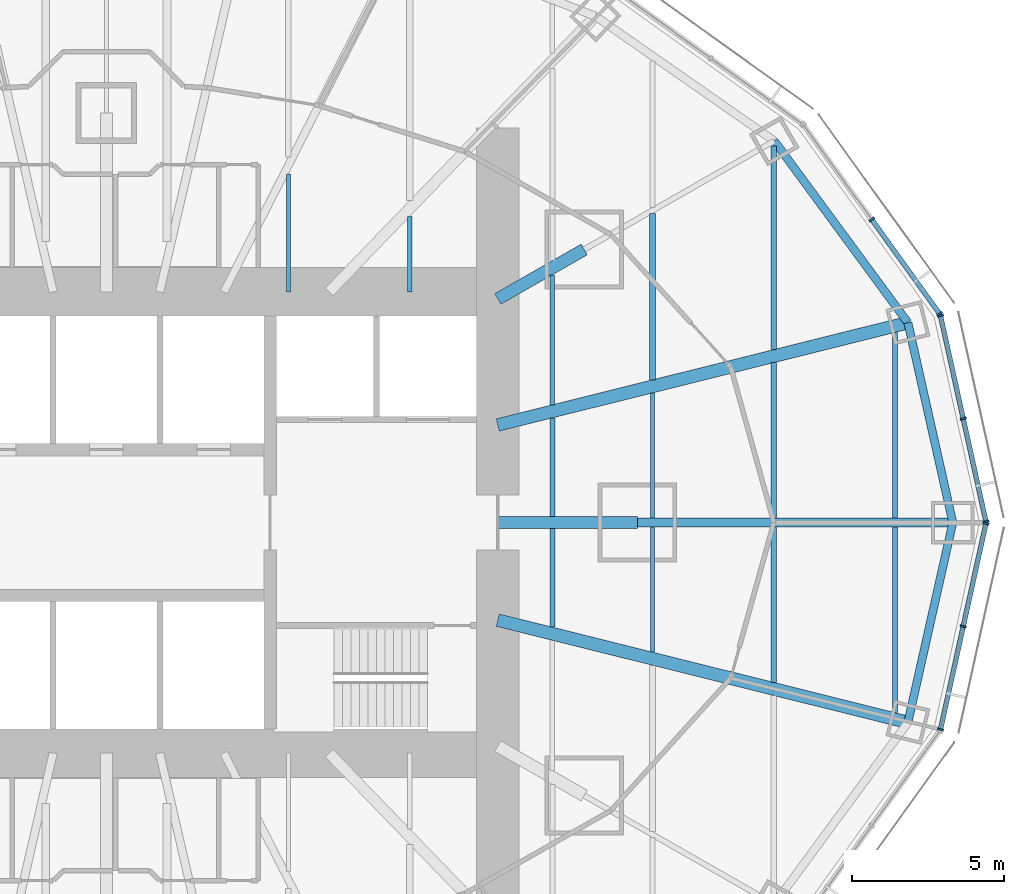
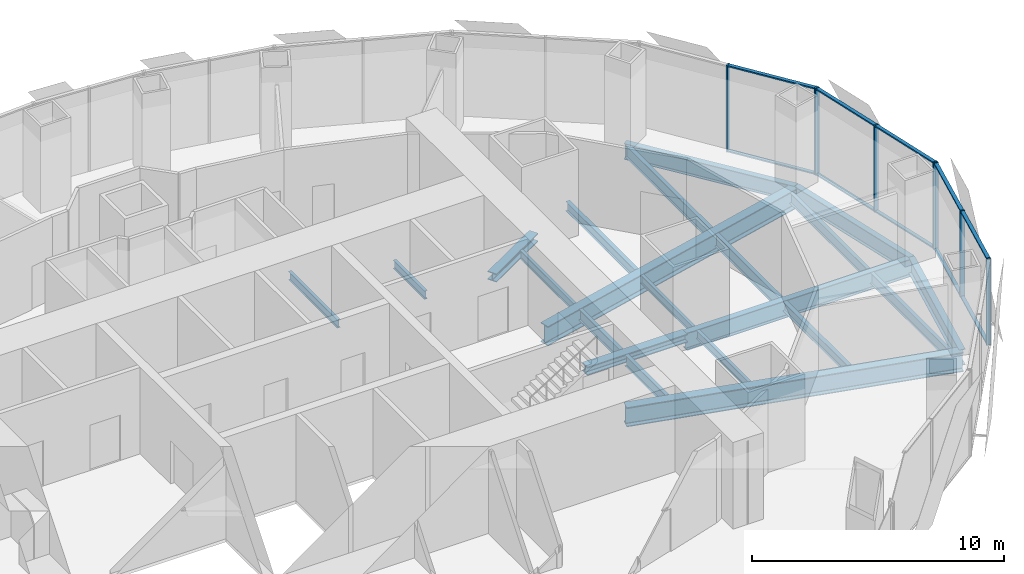
# One storey, part 6 of 18: 21 beams, 18 members, 3 elements without a shape of their own.
"""IFC4 building model written with IfcOpenShell, lengths in metres."""

from ifc_helpers import new_model, si_unit, direction, frame, origin, origin_2d, place, context, subcontext, project, spatial, rectangle, i_section, extrude, material, material_profile, profile_set, type_object, element, aggregate, save


model = new_model("IFC4")

# Units and contexts
model_context = context("Model", 3, precision=1e-05, world=origin(), true_north=direction((0.0, 1.0)))
body_context = subcontext(model_context, "Body", "Model", "MODEL_VIEW")
ifc_project = project(units=[si_unit("LENGTHUNIT", "METRE"), si_unit("AREAUNIT", "SQUARE_METRE"), si_unit("VOLUMEUNIT", "CUBIC_METRE"), si_unit("PLANEANGLEUNIT", "RADIAN"), si_unit("MASSUNIT", "GRAM", prefix="KILO")], contexts=[model_context])

# Site, building, storey
site_placement = place(None, origin())
site = spatial("IfcSite", under=ifc_project, at=site_placement, CompositionType="ELEMENT")
building_placement = place(site_placement, origin())
building = spatial("IfcBuilding", under=site, at=building_placement, Name="Lantaw Convention Tower", CompositionType="ELEMENT")
storey_placement = place(building_placement, frame((0.0, 0.0, 176.199951171875)))
storey = spatial("IfcBuildingStorey", under=building, at=storey_placement, Name="L41", CompositionType="ELEMENT", Elevation=176.199951171875)

# Beams
ifc_material_1 = material(Name="Steel ASTM A992", Category="steel")
ifc_material_profile_1 = material_profile(ifc_material_1, i_section(OverallWidth=0.2666015625, OverallDepth=0.76953125, WebThickness=0.015625, FlangeThickness=0.025390625, FilletRadius=0.0126953125, at=origin_2d()), Name="W30X132")
ifc_profile_set_1 = profile_set([ifc_material_profile_1], Name="Steel ASTM A992")
beam_type_1 = type_object("IfcBeamType", Name="Beam E W30X132", PredefinedType="SPANDREL", material=ifc_profile_set_1)
beam_1_placement = place(storey_placement, frame((27.89990234375, 0.0, -0.53466796875), z_axis=(-0.219211877447, 0.975677279015, 0.0), x_axis=(-0.975677279015, -0.219211877447, 0.0)))
element("IfcBeam", 1, at=beam_1_placement, inside=storey, type_object=beam_type_1, Name="Edge beam 1", PredefinedType="SPANDREL", context=body_context, shape_type="SweptSolid", body=[
    extrude(i_section(OverallWidth=0.2666015625, OverallDepth=0.76953125, WebThickness=0.015625, FlangeThickness=0.025390625, FilletRadius=0.0126953125, at=origin_2d()), origin(), (0.0, 0.0, 1.0), 6.75146484375),
])
beam_2_placement = place(storey_placement, frame((26.419921875, 6.587158203125, -0.53466796875), z_axis=(-0.5923891972, 0.805651934176, 0.0), x_axis=(-0.805651934176, -0.5923891972, 0.0)))
element("IfcBeam", 2, at=beam_2_placement, inside=storey, type_object=beam_type_1, Name="Edge beam 2", PredefinedType="SPANDREL", context=body_context, shape_type="SweptSolid", body=[
    extrude(i_section(OverallWidth=0.2666015625, OverallDepth=0.76953125, WebThickness=0.015625, FlangeThickness=0.025390625, FilletRadius=0.0126953125, at=origin_2d()), origin(), (0.0, 0.0, 1.0), 7.437744140625),
])
beam_3_placement = place(storey_placement, frame((26.419921875, -6.587158203125, -0.53466796875), z_axis=(0.219211877447, 0.975677279015, 0.0), x_axis=(-0.975677279015, 0.219211877447, 0.0)))
element("IfcBeam", 3, at=beam_3_placement, inside=storey, type_object=beam_type_1, Name="Edge beam 24", PredefinedType="SPANDREL", context=body_context, shape_type="SweptSolid", body=[
    extrude(i_section(OverallWidth=0.2666015625, OverallDepth=0.76953125, WebThickness=0.015625, FlangeThickness=0.025390625, FilletRadius=0.0126953125, at=origin_2d()), origin(), (0.0, 0.0, 1.0), 6.75146484375),
])
ifc_material_profile_2 = material_profile(ifc_material_1, i_section(OverallWidth=0.2919921875, OverallDepth=0.845703125, WebThickness=0.015380859375, FlangeThickness=0.0244140625, FilletRadius=0.01513671875, at=origin_2d()), Name="W33X141")
ifc_profile_set_2 = profile_set([ifc_material_profile_2], Name="Steel ASTM A992")
beam_type_2 = type_object("IfcBeamType", Name="Beam G W33X141", PredefinedType="BEAM", material=ifc_profile_set_2)
beam_4_placement = place(storey_placement, frame((17.5, 0.0, -0.57275390625), z_axis=(1.0, 0.0, 0.0), x_axis=(0.0, 1.0, 0.0)))
element("IfcBeam", 4, at=beam_4_placement, inside=storey, type_object=beam_type_2, Name="Floor girder on ray 1", PredefinedType="BEAM", context=body_context, shape_type="SweptSolid", body=[
    extrude(i_section(OverallWidth=0.2919921875, OverallDepth=0.845703125, WebThickness=0.015380859375, FlangeThickness=0.0244140625, FilletRadius=0.01513671875, at=origin_2d()), origin(), (0.0, 0.0, 1.0), 10.39990234375),
])
ifc_material_profile_3 = material_profile(ifc_material_1, i_section(OverallWidth=0.421630859375, OverallDepth=0.937255859375, WebThickness=0.0224609375, FlangeThickness=0.039794921875, FilletRadius=0.02001953125, at=origin_2d()), Name="W36X282")
ifc_profile_set_3 = profile_set([ifc_material_profile_3], Name="Steel ASTM A992")
beam_type_3 = type_object("IfcBeamType", Name="Beam G W36X282", PredefinedType="BEAM", material=ifc_profile_set_3)
for number, where, z_axis, x_axis, name in (
    (5, (12.89990234375, 3.21630859375, -0.61865234375), (0.970296903132, 0.24191717544, 0.0), (-0.24191717544, 0.970296903132, 0.0), "Floor girder on ray 2"),
    (6, (12.89990234375, -3.21630859375, -0.61865234375), (0.970296903132, -0.24191717544, 0.0), (0.24191717544, 0.970296903132, 0.0), "Floor girder on ray 24"),
):
    element("IfcBeam", number, at=place(storey_placement, frame(where, z_axis=z_axis, x_axis=x_axis)), inside=storey, type_object=beam_type_3, Name=name, PredefinedType="BEAM", context=body_context, shape_type="SweptSolid", body=[
        extrude(i_section(OverallWidth=0.421630859375, OverallDepth=0.937255859375, WebThickness=0.0224609375, FlangeThickness=0.039794921875, FilletRadius=0.02001953125, at=origin_2d()), origin(), (0.0, 0.0, 1.0), 13.933837890625),
    ])
ifc_material_profile_4 = material_profile(ifc_material_1, i_section(OverallWidth=0.40380859375, OverallDepth=0.406494140625, WebThickness=0.027099609375, FlangeThickness=0.043701171875, FilletRadius=0.01513671875, at=origin_2d()), Name="W14X233")
ifc_profile_set_4 = profile_set([ifc_material_profile_4], Name="Steel ASTM A992")
beam_type_4 = type_object("IfcBeamType", Name="Beam GM W14X233", PredefinedType="BEAM", material=ifc_profile_set_4)
beam_5_placement = place(storey_placement, frame((12.89990234375, 0.0, -0.353271484375), z_axis=(1.0, 0.0, 0.0), x_axis=(0.0, 1.0, 0.0)))
element("IfcBeam", 7, at=beam_5_placement, inside=storey, type_object=beam_type_4, Name="Core link beam on ray 1", PredefinedType="BEAM", context=body_context, shape_type="SweptSolid", body=[
    extrude(i_section(OverallWidth=0.40380859375, OverallDepth=0.406494140625, WebThickness=0.027099609375, FlangeThickness=0.043701171875, FilletRadius=0.01513671875, at=origin_2d()), origin(), (0.0, 0.0, 1.0), 4.60009765625),
])
beam_6_placement = place(storey_placement, frame((12.89990234375, 7.371337890625, -0.353271484375), z_axis=(0.868238565244, 0.496146947811, 0.0), x_axis=(-0.496146947811, 0.868238565244, 0.0)))
element("IfcBeam", 8, at=beam_6_placement, inside=storey, type_object=beam_type_4, Name="Core link beam on ray 3", PredefinedType="BEAM", context=body_context, shape_type="SweptSolid", body=[
    extrude(i_section(OverallWidth=0.40380859375, OverallDepth=0.406494140625, WebThickness=0.027099609375, FlangeThickness=0.043701171875, FilletRadius=0.01513671875, at=origin_2d()), origin(), (0.0, 0.0, 1.0), 3.28271484375),
])
ifc_material_profile_5 = material_profile(ifc_material_1, i_section(OverallWidth=0.140380859375, OverallDepth=0.40380859375, WebThickness=0.007080078125, FlangeThickness=0.01123046875, FilletRadius=0.01025390625, at=origin_2d()), Name="W16X31")
ifc_profile_set_5 = profile_set([ifc_material_profile_5], Name="Steel ASTM A992")
beam_type_5 = type_object("IfcBeamType", Name="Beam J W16X31", PredefinedType="JOIST", material=ifc_profile_set_5)
beam_7_placement = place(storey_placement, frame((6.0, 7.60009765625, -0.351806640625), z_axis=(0.0, 1.0, 0.0), x_axis=(-1.0, 0.0, 0.0)))
element("IfcBeam", 9, at=beam_7_placement, inside=storey, type_object=beam_type_5, Name="Floor joist", PredefinedType="JOIST", context=body_context, shape_type="SweptSolid", body=[
    extrude(i_section(OverallWidth=0.140380859375, OverallDepth=0.40380859375, WebThickness=0.007080078125, FlangeThickness=0.01123046875, FilletRadius=0.01025390625, at=origin_2d()), origin(), (0.0, 0.0, 1.0), 3.895751953125),
])
beam_8_placement = place(storey_placement, frame((10.0, 7.60009765625, -0.351806640625), z_axis=(0.0, 1.0, 0.0), x_axis=(-1.0, 0.0, 0.0)))
element("IfcBeam", 10, at=beam_8_placement, inside=storey, type_object=beam_type_5, Name="Floor joist", PredefinedType="JOIST", context=body_context, shape_type="SweptSolid", body=[
    extrude(i_section(OverallWidth=0.140380859375, OverallDepth=0.40380859375, WebThickness=0.007080078125, FlangeThickness=0.01123046875, FilletRadius=0.01025390625, at=origin_2d()), origin(), (0.0, 0.0, 1.0), 2.49560546875),
])
beam_9_placement = place(storey_placement, frame((14.699951171875, 3.88232421875, -0.351806640625), z_axis=(0.0, 1.0, 0.0), x_axis=(-1.0, 0.0, 0.0)))
element("IfcBeam", 11, at=beam_9_placement, inside=storey, type_object=beam_type_5, Name="Floor joist", PredefinedType="JOIST", context=body_context, shape_type="SweptSolid", body=[
    extrude(i_section(OverallWidth=0.140380859375, OverallDepth=0.40380859375, WebThickness=0.007080078125, FlangeThickness=0.01123046875, FilletRadius=0.01025390625, at=origin_2d()), origin(), (0.0, 0.0, 1.0), 4.28515625),
])
for number, where, z_axis, x_axis, name in (
    (12, (18.0, -4.270751953125, -0.351806640625), (0.0, 1.0, 0.0), (-1.0, 0.0, 0.0), "Floor joist"),
    (13, (18.0, 0.14599609375, -0.351806640625), (0.0, 1.0, 0.0), (-1.0, 0.0, 0.0), "Floor joist"),
):
    element("IfcBeam", number, at=place(storey_placement, frame(where, z_axis=z_axis, x_axis=x_axis)), inside=storey, type_object=beam_type_5, Name=name, PredefinedType="JOIST", context=body_context, shape_type="SweptSolid", body=[
        extrude(i_section(OverallWidth=0.140380859375, OverallDepth=0.40380859375, WebThickness=0.007080078125, FlangeThickness=0.01123046875, FilletRadius=0.01025390625, at=origin_2d()), origin(), (0.0, 0.0, 1.0), 4.124755859375),
    ])
ifc_material_profile_6 = material_profile(ifc_material_1, i_section(OverallWidth=0.1904296875, OverallDepth=0.457275390625, WebThickness=0.009033203125, FlangeThickness=0.014404296875, FilletRadius=0.01025390625, at=origin_2d()), Name="W18X50")
ifc_profile_set_6 = profile_set([ifc_material_profile_6], Name="Steel ASTM A992")
beam_type_6 = type_object("IfcBeamType", Name="Beam J W18X50", PredefinedType="JOIST", material=ifc_profile_set_6)
beam_10_placement = place(storey_placement, frame((18.0, 4.705078125, -0.378662109375), z_axis=(0.0, 1.0, 0.0), x_axis=(-1.0, 0.0, 0.0)))
element("IfcBeam", 14, at=beam_10_placement, inside=storey, type_object=beam_type_6, Name="Floor joist", PredefinedType="JOIST", context=body_context, shape_type="SweptSolid", body=[
    extrude(i_section(OverallWidth=0.1904296875, OverallDepth=0.457275390625, WebThickness=0.009033203125, FlangeThickness=0.014404296875, FilletRadius=0.01025390625, at=origin_2d()), origin(), (0.0, 0.0, 1.0), 5.47802734375),
])
beam_11_placement = place(storey_placement, frame((22.0, -5.267822265625, -0.378662109375), z_axis=(0.0, 1.0, 0.0), x_axis=(-1.0, 0.0, 0.0)))
element("IfcBeam", 15, at=beam_11_placement, inside=storey, type_object=beam_type_6, Name="Floor joist", PredefinedType="JOIST", context=body_context, shape_type="SweptSolid", body=[
    extrude(i_section(OverallWidth=0.1904296875, OverallDepth=0.457275390625, WebThickness=0.009033203125, FlangeThickness=0.014404296875, FilletRadius=0.01025390625, at=origin_2d()), origin(), (0.0, 0.0, 1.0), 5.121826171875),
])
ifc_material_profile_7 = material_profile(ifc_material_1, i_section(OverallWidth=0.1650390625, OverallDepth=0.52587890625, WebThickness=0.0087890625, FlangeThickness=0.011474609375, FilletRadius=0.0126953125, at=origin_2d()), Name="W21X44")
ifc_profile_set_7 = profile_set([ifc_material_profile_7], Name="Steel ASTM A992")
beam_type_7 = type_object("IfcBeamType", Name="Beam J W21X44", PredefinedType="JOIST", material=ifc_profile_set_7)
for number, where, z_axis, x_axis, name in (
    (16, (26.0, -6.26513671875, -0.412841796875), (0.0, 1.0, 0.0), (-1.0, 0.0, 0.0), "Floor joist"),
    (17, (26.0, 0.14599609375, -0.412841796875), (0.0, 1.0, 0.0), (-1.0, 0.0, 0.0), "Floor joist"),
):
    element("IfcBeam", number, at=place(storey_placement, frame(where, z_axis=z_axis, x_axis=x_axis)), inside=storey, type_object=beam_type_7, Name=name, PredefinedType="JOIST", context=body_context, shape_type="SweptSolid", body=[
        extrude(i_section(OverallWidth=0.1650390625, OverallDepth=0.52587890625, WebThickness=0.0087890625, FlangeThickness=0.011474609375, FilletRadius=0.0126953125, at=origin_2d()), origin(), (0.0, 0.0, 1.0), 6.119140625),
    ])
ifc_material_profile_8 = material_profile(ifc_material_1, i_section(OverallWidth=0.165771484375, OverallDepth=0.5283203125, WebThickness=0.009765625, FlangeThickness=0.013671875, FilletRadius=0.012939453125, at=origin_2d()), Name="W21X50")
ifc_profile_set_8 = profile_set([ifc_material_profile_8], Name="Steel ASTM A992")
beam_type_8 = type_object("IfcBeamType", Name="Beam J W21X50", PredefinedType="JOIST", material=ifc_profile_set_8)
for number, where, z_axis, x_axis, name in (
    (18, (14.699951171875, -3.44775390625, -0.4140625), (0.0, 1.0, 0.0), (-1.0, 0.0, 0.0), "Floor joist"),
    (19, (14.699951171875, 0.201904296875, -0.4140625), (0.0, 1.0, 0.0), (-1.0, 0.0, 0.0), "Floor joist"),
):
    element("IfcBeam", number, at=place(storey_placement, frame(where, z_axis=z_axis, x_axis=x_axis)), inside=storey, type_object=beam_type_8, Name=name, PredefinedType="JOIST", context=body_context, shape_type="SweptSolid", body=[
        extrude(i_section(OverallWidth=0.165771484375, OverallDepth=0.5283203125, WebThickness=0.009765625, FlangeThickness=0.013671875, FilletRadius=0.012939453125, at=origin_2d()), origin(), (0.0, 0.0, 1.0), 3.245849609375),
    ])
ifc_material_profile_9 = material_profile(ifc_material_1, i_section(OverallWidth=0.177978515625, OverallDepth=0.599365234375, WebThickness=0.010009765625, FlangeThickness=0.012939453125, FilletRadius=0.012939453125, at=origin_2d()), Name="W24X55")
ifc_profile_set_9 = profile_set([ifc_material_profile_9], Name="Steel ASTM A992")
beam_type_9 = type_object("IfcBeamType", Name="Beam J W24X55", PredefinedType="JOIST", material=ifc_profile_set_9)
beam_12_placement = place(storey_placement, frame((22.0, 0.14599609375, -0.44970703125), z_axis=(0.0, 1.0, 0.0), x_axis=(-1.0, 0.0, 0.0)))
element("IfcBeam", 20, at=beam_12_placement, inside=storey, type_object=beam_type_9, Name="Floor joist", PredefinedType="JOIST", context=body_context, shape_type="SweptSolid", body=[
    extrude(i_section(OverallWidth=0.177978515625, OverallDepth=0.599365234375, WebThickness=0.010009765625, FlangeThickness=0.012939453125, FilletRadius=0.012939453125, at=origin_2d()), origin(), (0.0, 0.0, 1.0), 5.121826171875),
])
beam_13_placement = place(storey_placement, frame((22.0, 5.702392578125, -0.44970703125), z_axis=(0.0, 1.0, 0.0), x_axis=(-1.0, 0.0, 0.0)))
element("IfcBeam", 21, at=beam_13_placement, inside=storey, type_object=beam_type_9, Name="Floor joist", PredefinedType="JOIST", context=body_context, shape_type="SweptSolid", body=[
    extrude(i_section(OverallWidth=0.177978515625, OverallDepth=0.599365234375, WebThickness=0.010009765625, FlangeThickness=0.012939453125, FilletRadius=0.012939453125, at=origin_2d()), origin(), (0.0, 0.0, 1.0), 6.70654296875),
])

# Curtain wall, members
ifc_material_2 = material(Name="Aluminium framed curtain wall", Category="aluminium")
curtain_wall_type = type_object("IfcCurtainWallType", Name="Office curtain wall low rise, pale aluminium", PredefinedType="USERDEFINED", material=ifc_material_2)
curtain_wall_1_placement = place(storey_placement, origin())
curtain_wall_1 = element("IfcCurtainWall", 22, at=curtain_wall_1_placement, inside=storey, type_object=curtain_wall_type, Name="Office curtain wall low rise, pale aluminium L41", ObjectType="UNITISED CURTAIN WALL", PredefinedType="USERDEFINED")
ifc_material_3 = material(Name="Aluminium 6063-T6", Category="aluminium")
ifc_material_profile_10 = material_profile(ifc_material_3, rectangle(XDim=0.199951171875, YDim=0.06494140625, at=origin_2d()), Name="CW-O1 mullion 65x200")
ifc_profile_set_10 = profile_set([ifc_material_profile_10], Name="Aluminium 6063-T6")
member_type_1 = type_object("IfcMemberType", Name="CW-O1 mullion 65x200", PredefinedType="MULLION", material=ifc_profile_set_10)
member_1_placement = place(storey_placement, frame((28.992919921875, 0.03173828125, -0.14990234375), z_axis=(0.0, 0.0, 1.0), x_axis=(-0.9764936509, -0.215546166174, 0.0)))
member_1 = element("IfcMember", 23, at=member_1_placement, type_object=member_type_1, Name="CW-O1 mullion 1", PredefinedType="MULLION", context=body_context, shape_type="SweptSolid", body=[
    extrude(rectangle(XDim=0.199951171875, YDim=0.06494140625, at=origin_2d()), origin(), (0.0, 0.0, 1.0), 4.199951171875),
])
member_2_placement = place(storey_placement, frame((28.24365234375, 3.4267578125, -0.14990234375), z_axis=(0.0, 0.0, 1.0), x_axis=(-0.9764936509, -0.215546166174, 0.0)))
member_2 = element("IfcMember", 24, at=member_2_placement, type_object=member_type_1, Name="CW-O1 mullion 2", PredefinedType="MULLION", context=body_context, shape_type="SweptSolid", body=[
    extrude(rectangle(XDim=0.199951171875, YDim=0.06494140625, at=origin_2d()), origin(), (0.0, 0.0, 1.0), 4.199951171875),
])
member_3_placement = place(storey_placement, frame((27.494140625, 6.821533203125, -0.14990234375), z_axis=(0.0, 0.0, 1.0), x_axis=(-0.9764936509, -0.215546166174, 0.0)))
member_3 = element("IfcMember", 25, at=member_3_placement, type_object=member_type_1, Name="CW-O1 mullion 3", PredefinedType="MULLION", context=body_context, shape_type="SweptSolid", body=[
    extrude(rectangle(XDim=0.199951171875, YDim=0.06494140625, at=origin_2d()), origin(), (0.0, 0.0, 1.0), 4.199951171875),
])

curtain_wall_2_placement = place(storey_placement, origin())
curtain_wall_2 = element("IfcCurtainWall", 26, at=curtain_wall_2_placement, inside=storey, type_object=curtain_wall_type, Name="Office curtain wall low rise, pale aluminium L41", ObjectType="UNITISED CURTAIN WALL", PredefinedType="USERDEFINED")
member_4_placement = place(storey_placement, frame((27.46826171875, 6.879638671875, -0.14990234375), z_axis=(0.0, 0.0, 1.0), x_axis=(-0.811384633629, -0.584512597221, 0.0)))
member_4 = element("IfcMember", 27, at=member_4_placement, type_object=member_type_1, Name="CW-O1 mullion 1", PredefinedType="MULLION", context=body_context, shape_type="SweptSolid", body=[
    extrude(rectangle(XDim=0.199951171875, YDim=0.06494140625, at=origin_2d()), origin(), (0.0, 0.0, 1.0), 4.199951171875),
])
member_5_placement = place(storey_placement, frame((25.22802734375, 9.9892578125, -0.14990234375), z_axis=(0.0, 0.0, 1.0), x_axis=(-0.811384633629, -0.584512597221, 0.0)))
member_5 = element("IfcMember", 28, at=member_5_placement, type_object=member_type_1, Name="CW-O1 mullion 2", PredefinedType="MULLION", context=body_context, shape_type="SweptSolid", body=[
    extrude(rectangle(XDim=0.199951171875, YDim=0.06494140625, at=origin_2d()), origin(), (0.0, 0.0, 1.0), 4.199951171875),
])

curtain_wall_3_placement = place(storey_placement, origin())
curtain_wall_3 = element("IfcCurtainWall", 29, at=curtain_wall_3_placement, inside=storey, type_object=curtain_wall_type, Name="Office curtain wall low rise, pale aluminium L41", ObjectType="UNITISED CURTAIN WALL", PredefinedType="USERDEFINED")
member_6_placement = place(storey_placement, frame((27.494140625, -6.821533203125, -0.14990234375), z_axis=(0.0, 0.0, 1.0), x_axis=(-0.9764936509, 0.215546166174, 0.0)))
member_6 = element("IfcMember", 30, at=member_6_placement, type_object=member_type_1, Name="CW-O1 mullion 1", PredefinedType="MULLION", context=body_context, shape_type="SweptSolid", body=[
    extrude(rectangle(XDim=0.199951171875, YDim=0.06494140625, at=origin_2d()), origin(), (0.0, 0.0, 1.0), 4.199951171875),
])
member_7_placement = place(storey_placement, frame((28.24365234375, -3.4267578125, -0.14990234375), z_axis=(0.0, 0.0, 1.0), x_axis=(-0.9764936509, 0.215546166174, 0.0)))
member_7 = element("IfcMember", 31, at=member_7_placement, type_object=member_type_1, Name="CW-O1 mullion 2", PredefinedType="MULLION", context=body_context, shape_type="SweptSolid", body=[
    extrude(rectangle(XDim=0.199951171875, YDim=0.06494140625, at=origin_2d()), origin(), (0.0, 0.0, 1.0), 4.199951171875),
])
member_8_placement = place(storey_placement, frame((28.992919921875, -0.03173828125, -0.14990234375), z_axis=(0.0, 0.0, 1.0), x_axis=(-0.9764936509, 0.215546166174, 0.0)))
member_8 = element("IfcMember", 32, at=member_8_placement, type_object=member_type_1, Name="CW-O1 mullion 3", PredefinedType="MULLION", context=body_context, shape_type="SweptSolid", body=[
    extrude(rectangle(XDim=0.199951171875, YDim=0.06494140625, at=origin_2d()), origin(), (0.0, 0.0, 1.0), 4.199951171875),
])

# Member
ifc_material_profile_11 = material_profile(ifc_material_3, rectangle(XDim=0.159912109375, YDim=0.06494140625, at=origin_2d()), Name="CW-O1 transom 65x160")
ifc_profile_set_11 = profile_set([ifc_material_profile_11], Name="Aluminium 6063-T6")
member_type_2 = type_object("IfcMemberType", Name="CW-O1 transom 65x160", PredefinedType="USERDEFINED", material=ifc_profile_set_11)
member_9_placement = place(storey_placement, frame((28.986083984375, 0.0634765625, -0.117431640625), z_axis=(-0.215536096386, 0.976495873598, 0.0), x_axis=(-0.976495873598, -0.215536096386, 0.0)))
member_9 = element("IfcMember", 33, at=member_9_placement, type_object=member_type_2, Name="CW-O1 transom 1.1", ObjectType="TRANSOM", PredefinedType="USERDEFINED", context=body_context, shape_type="SweptSolid", body=[
    extrude(rectangle(XDim=0.159912109375, YDim=0.06494140625, at=origin_2d()), origin(), (0.0, 0.0, 1.0), 3.41162109375),
])

member_10_placement = place(storey_placement, frame((28.986083984375, 0.0634765625, 4.017578125), z_axis=(-0.215536096386, 0.976495873598, 0.0), x_axis=(-0.976495873598, -0.215536096386, 0.0)))
member_10 = element("IfcMember", 34, at=member_10_placement, type_object=member_type_2, Name="CW-O1 transom 1.2", ObjectType="TRANSOM", PredefinedType="USERDEFINED", context=body_context, shape_type="SweptSolid", body=[
    extrude(rectangle(XDim=0.159912109375, YDim=0.06494140625, at=origin_2d()), origin(), (0.0, 0.0, 1.0), 3.41162109375),
])

member_11_placement = place(storey_placement, frame((28.236572265625, 3.45849609375, -0.117431640625), z_axis=(-0.21555115847, 0.976492548913, 0.0), x_axis=(-0.976492548913, -0.21555115847, 0.0)))
member_11 = element("IfcMember", 35, at=member_11_placement, type_object=member_type_2, Name="CW-O1 transom 2.1", ObjectType="TRANSOM", PredefinedType="USERDEFINED", context=body_context, shape_type="SweptSolid", body=[
    extrude(rectangle(XDim=0.159912109375, YDim=0.06494140625, at=origin_2d()), origin(), (0.0, 0.0, 1.0), 3.411376953125),
])

member_12_placement = place(storey_placement, frame((28.236572265625, 3.45849609375, 4.017578125), z_axis=(-0.21555115847, 0.976492548913, 0.0), x_axis=(-0.976492548913, -0.21555115847, 0.0)))
member_12 = element("IfcMember", 36, at=member_12_placement, type_object=member_type_2, Name="CW-O1 transom 2.2", ObjectType="TRANSOM", PredefinedType="USERDEFINED", context=body_context, shape_type="SweptSolid", body=[
    extrude(rectangle(XDim=0.159912109375, YDim=0.06494140625, at=origin_2d()), origin(), (0.0, 0.0, 1.0), 3.411376953125),
])

aggregate(curtain_wall_1, [member_1, member_2, member_3, member_9, member_10, member_11, member_12])

member_13_placement = place(storey_placement, frame((27.44921875, 6.906005859375, -0.117431640625), z_axis=(-0.584512973979, 0.811384362217, 0.0), x_axis=(-0.811384362217, -0.584512973979, 0.0)))
member_13 = element("IfcMember", 37, at=member_13_placement, type_object=member_type_2, Name="CW-O1 transom 1.1", ObjectType="TRANSOM", PredefinedType="USERDEFINED", context=body_context, shape_type="SweptSolid", body=[
    extrude(rectangle(XDim=0.159912109375, YDim=0.06494140625, at=origin_2d()), origin(), (0.0, 0.0, 1.0), 3.767578125),
])

member_14_placement = place(storey_placement, frame((27.44921875, 6.906005859375, 4.017578125), z_axis=(-0.584512973979, 0.811384362217, 0.0), x_axis=(-0.811384362217, -0.584512973979, 0.0)))
member_14 = element("IfcMember", 38, at=member_14_placement, type_object=member_type_2, Name="CW-O1 transom 1.2", ObjectType="TRANSOM", PredefinedType="USERDEFINED", context=body_context, shape_type="SweptSolid", body=[
    extrude(rectangle(XDim=0.159912109375, YDim=0.06494140625, at=origin_2d()), origin(), (0.0, 0.0, 1.0), 3.767578125),
])

aggregate(curtain_wall_2, [member_4, member_5, member_13, member_14])

member_15_placement = place(storey_placement, frame((27.501220703125, -6.789794921875, -0.117431640625), z_axis=(0.21555115847, 0.976492548913, 0.0), x_axis=(-0.976492548913, 0.21555115847, 0.0)))
member_15 = element("IfcMember", 39, at=member_15_placement, type_object=member_type_2, Name="CW-O1 transom 1.1", ObjectType="TRANSOM", PredefinedType="USERDEFINED", context=body_context, shape_type="SweptSolid", body=[
    extrude(rectangle(XDim=0.159912109375, YDim=0.06494140625, at=origin_2d()), origin(), (0.0, 0.0, 1.0), 3.411376953125),
])

member_16_placement = place(storey_placement, frame((27.501220703125, -6.789794921875, 4.017578125), z_axis=(0.21555115847, 0.976492548913, 0.0), x_axis=(-0.976492548913, 0.21555115847, 0.0)))
member_16 = element("IfcMember", 40, at=member_16_placement, type_object=member_type_2, Name="CW-O1 transom 1.2", ObjectType="TRANSOM", PredefinedType="USERDEFINED", context=body_context, shape_type="SweptSolid", body=[
    extrude(rectangle(XDim=0.159912109375, YDim=0.06494140625, at=origin_2d()), origin(), (0.0, 0.0, 1.0), 3.411376953125),
])

member_17_placement = place(storey_placement, frame((28.250732421875, -3.39501953125, -0.117431640625), z_axis=(0.215536096386, 0.976495873598, 0.0), x_axis=(-0.976495873598, 0.215536096386, 0.0)))
member_17 = element("IfcMember", 41, at=member_17_placement, type_object=member_type_2, Name="CW-O1 transom 2.1", ObjectType="TRANSOM", PredefinedType="USERDEFINED", context=body_context, shape_type="SweptSolid", body=[
    extrude(rectangle(XDim=0.159912109375, YDim=0.06494140625, at=origin_2d()), origin(), (0.0, 0.0, 1.0), 3.41162109375),
])

member_18_placement = place(storey_placement, frame((28.250732421875, -3.39501953125, 4.017578125), z_axis=(0.215536096386, 0.976495873598, 0.0), x_axis=(-0.976495873598, 0.215536096386, 0.0)))
member_18 = element("IfcMember", 42, at=member_18_placement, type_object=member_type_2, Name="CW-O1 transom 2.2", ObjectType="TRANSOM", PredefinedType="USERDEFINED", context=body_context, shape_type="SweptSolid", body=[
    extrude(rectangle(XDim=0.159912109375, YDim=0.06494140625, at=origin_2d()), origin(), (0.0, 0.0, 1.0), 3.41162109375),
])

aggregate(curtain_wall_3, [member_6, member_7, member_8, member_15, member_16, member_17, member_18])

save(model, "model.ifc")
